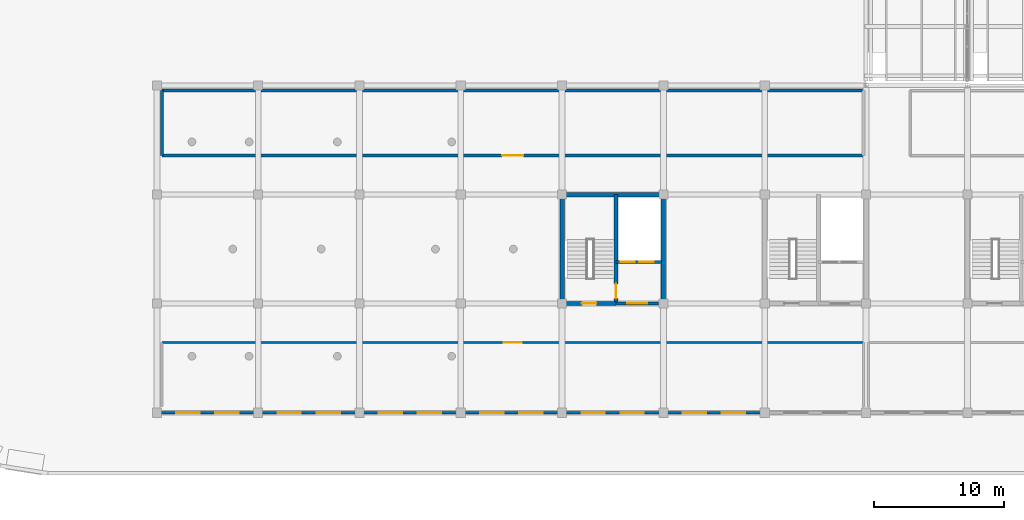
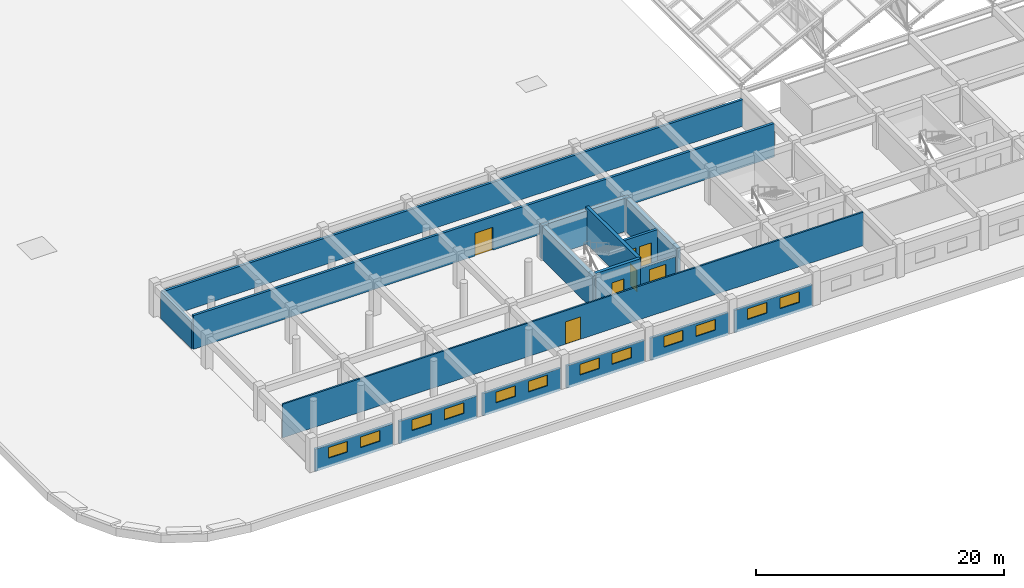
# One storey, part 89 of 101: 17 walls, 12 windows, 7 doors, 19 openings.
"""IFC4 building model written with IfcOpenShell, lengths in metres."""

from ifc_helpers import new_model, si_unit, direction, frame, frame_2d, origin, place, context, subcontext, project, spatial, rectangle, extrude, material, layer, layer_set, type_object, element, fill, save


model = new_model("IFC4")

# Units and contexts
model_context = context("Model", 3, precision=1e-05, world=origin(), true_north=direction((0.0, 1.0)))
body_context = subcontext(model_context, "Body", "Model", "MODEL_VIEW")
ifc_project = project(units=[si_unit("LENGTHUNIT", "METRE"), si_unit("AREAUNIT", "SQUARE_METRE"), si_unit("VOLUMEUNIT", "CUBIC_METRE"), si_unit("PLANEANGLEUNIT", "RADIAN"), si_unit("MASSUNIT", "GRAM", prefix="KILO")], contexts=[model_context])

# Site, building, storey
site_placement = place(None, origin())
site = spatial("IfcSite", under=ifc_project, at=site_placement, CompositionType="ELEMENT")
building_placement = place(site_placement, origin())
building = spatial("IfcBuilding", under=site, at=building_placement, Name="Zizhar Promenade General Hospital", CompositionType="ELEMENT")
storey_placement = place(building_placement, frame((0.0, 0.0, 14.39990234375)))
storey = spatial("IfcBuildingStorey", under=building, at=storey_placement, Name="L03", CompositionType="ELEMENT", Elevation=14.39990234375)

# Wall, openings, windows
ifc_material_1 = material(Name="Precast concrete C40/50", Category="concrete")
ifc_layer_1 = layer(ifc_material_1, 0.22509765625)
ifc_layer_set_1 = layer_set([ifc_layer_1], Name="Precast concrete C40/50")
wall_type_1 = type_object("IfcWallType", Name="EW-INT-225", PredefinedType="STANDARD", material=ifc_layer_set_1)
wall_1_placement = place(storey_placement, frame((23.110107421875, 0.0, 0.0), z_axis=(0.0, 0.0, 1.0), x_axis=(-1.0, 0.0, 0.0)))
wall_1 = element("IfcWall", 1, at=wall_1_placement, inside=storey, type_object=wall_type_1, Name="Riverfront Facade Wall L03-1", PredefinedType="STANDARD", context=body_context, shape_type="SweptSolid", body=[
    extrude(rectangle(XDim=7.22021484375, YDim=0.22509765625, at=frame_2d((3.610107421875, 0.0))), origin(), (0.0, 0.0, 1.0), 2.205078125),
])
opening_1_placement = place(wall_1_placement, frame((1.206787109375, 0.0, 0.89990234375)))
opening_1 = element("IfcOpeningElement", 2, at=opening_1_placement, cuts=wall_1, Name="Opening W-14", PredefinedType="OPENING", context=body_context, shape_type="SweptSolid", body=[
    extrude(rectangle(XDim=1.800048828125, YDim=1.050048828125, at=frame_2d((0.89990234375, 0.52490234375))), frame((0.0, 0.12255859375, 0.0), z_axis=(0.0, -1.0, 0.0), x_axis=(1.0, 0.0, 0.0)), (0.0, 0.0, 1.0), 0.2451171875),
])
opening_2_placement = place(wall_1_placement, frame((4.21337890625, 0.0, 0.89990234375)))
opening_2 = element("IfcOpeningElement", 3, at=opening_2_placement, cuts=wall_1, Name="Opening W-14", PredefinedType="OPENING", context=body_context, shape_type="SweptSolid", body=[
    extrude(rectangle(XDim=1.800048828125, YDim=1.050048828125, at=frame_2d((0.89990234375, 0.52490234375))), frame((0.0, 0.12255859375, 0.0), z_axis=(0.0, -1.0, 0.0), x_axis=(1.0, 0.0, 0.0)), (0.0, 0.0, 1.0), 0.2451171875),
])
ifc_material_2 = material(Name="Anodised aluminium 6063-T6 and low-E glass", Category="aluminium")
window_type = type_object("IfcWindowType", Name="WIN-INT-180x105", PartitioningType="DOUBLE_PANEL_HORIZONTAL", PredefinedType="WINDOW", material=ifc_material_2)
window_1_placement = place(opening_1_placement, origin())
window_1 = element("IfcWindow", 4, at=window_1_placement, inside=storey, type_object=window_type, Name="Riverfront Facade Wall L03-1 Window 1", OverallHeight=1.050048828125, OverallWidth=1.800048828125, PartitioningType="SINGLE_PANEL", PredefinedType="WINDOW", context=body_context, shape_type="SweptSolid", body=[
    extrude(rectangle(XDim=1.800048828125, YDim=1.050048828125, at=frame_2d((0.89990234375, 0.52490234375))), frame((0.0, 0.030029296875, 0.0), z_axis=(0.0, -1.0, 0.0), x_axis=(1.0, 0.0, 0.0)), (0.0, 0.0, 1.0), 0.06005859375),
])
fill(opening_1, window_1)
window_2_placement = place(opening_2_placement, origin())
window_2 = element("IfcWindow", 5, at=window_2_placement, inside=storey, type_object=window_type, Name="Riverfront Facade Wall L03-1 Window 2", OverallHeight=1.050048828125, OverallWidth=1.800048828125, PartitioningType="SINGLE_PANEL", PredefinedType="WINDOW", context=body_context, shape_type="SweptSolid", body=[
    extrude(rectangle(XDim=1.800048828125, YDim=1.050048828125, at=frame_2d((0.89990234375, 0.52490234375))), frame((0.0, 0.030029296875, 0.0), z_axis=(0.0, -1.0, 0.0), x_axis=(1.0, 0.0, 0.0)), (0.0, 0.0, 1.0), 0.06005859375),
])
fill(opening_2, window_2)

wall_2_placement = place(storey_placement, frame((30.909912109375, 0.0, 0.0), z_axis=(0.0, 0.0, 1.0), x_axis=(-1.0, 0.0, 0.0)))
wall_2 = element("IfcWall", 6, at=wall_2_placement, inside=storey, type_object=wall_type_1, Name="Riverfront Facade Wall L03-2", PredefinedType="STANDARD", context=body_context, shape_type="SweptSolid", body=[
    extrude(rectangle(XDim=7.219970703125, YDim=0.22509765625, at=frame_2d((3.60986328125, 0.0))), origin(), (0.0, 0.0, 1.0), 2.205078125),
])
opening_3_placement = place(wall_2_placement, frame((1.206787109375, 0.0, 0.89990234375)))
opening_3 = element("IfcOpeningElement", 7, at=opening_3_placement, cuts=wall_2, Name="Opening W-14", PredefinedType="OPENING", context=body_context, shape_type="SweptSolid", body=[
    extrude(rectangle(XDim=1.800048828125, YDim=1.050048828125, at=frame_2d((0.89990234375, 0.52490234375))), frame((0.0, 0.12255859375, 0.0), z_axis=(0.0, -1.0, 0.0), x_axis=(1.0, 0.0, 0.0)), (0.0, 0.0, 1.0), 0.2451171875),
])
opening_4_placement = place(wall_2_placement, frame((4.21337890625, 0.0, 0.89990234375)))
opening_4 = element("IfcOpeningElement", 8, at=opening_4_placement, cuts=wall_2, Name="Opening W-14", PredefinedType="OPENING", context=body_context, shape_type="SweptSolid", body=[
    extrude(rectangle(XDim=1.800048828125, YDim=1.050048828125, at=frame_2d((0.89990234375, 0.52490234375))), frame((0.0, 0.12255859375, 0.0), z_axis=(0.0, -1.0, 0.0), x_axis=(1.0, 0.0, 0.0)), (0.0, 0.0, 1.0), 0.2451171875),
])
window_3_placement = place(opening_3_placement, origin())
window_3 = element("IfcWindow", 9, at=window_3_placement, inside=storey, type_object=window_type, Name="Riverfront Facade Wall L03-2 Window 1", OverallHeight=1.050048828125, OverallWidth=1.800048828125, PartitioningType="SINGLE_PANEL", PredefinedType="WINDOW", context=body_context, shape_type="SweptSolid", body=[
    extrude(rectangle(XDim=1.800048828125, YDim=1.050048828125, at=frame_2d((0.89990234375, 0.52490234375))), frame((0.0, 0.030029296875, 0.0), z_axis=(0.0, -1.0, 0.0), x_axis=(1.0, 0.0, 0.0)), (0.0, 0.0, 1.0), 0.06005859375),
])
fill(opening_3, window_3)
window_4_placement = place(opening_4_placement, origin())
window_4 = element("IfcWindow", 10, at=window_4_placement, inside=storey, type_object=window_type, Name="Riverfront Facade Wall L03-2 Window 2", OverallHeight=1.050048828125, OverallWidth=1.800048828125, PartitioningType="SINGLE_PANEL", PredefinedType="WINDOW", context=body_context, shape_type="SweptSolid", body=[
    extrude(rectangle(XDim=1.800048828125, YDim=1.050048828125, at=frame_2d((0.89990234375, 0.52490234375))), frame((0.0, 0.030029296875, 0.0), z_axis=(0.0, -1.0, 0.0), x_axis=(1.0, 0.0, 0.0)), (0.0, 0.0, 1.0), 0.06005859375),
])
fill(opening_4, window_4)

wall_3_placement = place(storey_placement, frame((38.7099609375, 0.0, 0.0), z_axis=(0.0, 0.0, 1.0), x_axis=(-1.0, 0.0, 0.0)))
wall_3 = element("IfcWall", 11, at=wall_3_placement, inside=storey, type_object=wall_type_1, Name="Riverfront Facade Wall L03-3", PredefinedType="STANDARD", context=body_context, shape_type="SweptSolid", body=[
    extrude(rectangle(XDim=7.219970703125, YDim=0.22509765625, at=frame_2d((3.60986328125, 0.0))), origin(), (0.0, 0.0, 1.0), 2.205078125),
])
opening_5_placement = place(wall_3_placement, frame((1.206787109375, 0.0, 0.89990234375)))
opening_5 = element("IfcOpeningElement", 12, at=opening_5_placement, cuts=wall_3, Name="Opening W-14", PredefinedType="OPENING", context=body_context, shape_type="SweptSolid", body=[
    extrude(rectangle(XDim=1.800048828125, YDim=1.050048828125, at=frame_2d((0.89990234375, 0.52490234375))), frame((0.0, 0.12255859375, 0.0), z_axis=(0.0, -1.0, 0.0), x_axis=(1.0, 0.0, 0.0)), (0.0, 0.0, 1.0), 0.2451171875),
])
opening_6_placement = place(wall_3_placement, frame((4.21337890625, 0.0, 0.89990234375)))
opening_6 = element("IfcOpeningElement", 13, at=opening_6_placement, cuts=wall_3, Name="Opening W-14", PredefinedType="OPENING", context=body_context, shape_type="SweptSolid", body=[
    extrude(rectangle(XDim=1.800048828125, YDim=1.050048828125, at=frame_2d((0.89990234375, 0.52490234375))), frame((0.0, 0.12255859375, 0.0), z_axis=(0.0, -1.0, 0.0), x_axis=(1.0, 0.0, 0.0)), (0.0, 0.0, 1.0), 0.2451171875),
])
window_5_placement = place(opening_5_placement, origin())
window_5 = element("IfcWindow", 14, at=window_5_placement, inside=storey, type_object=window_type, Name="Riverfront Facade Wall L03-3 Window 1", OverallHeight=1.050048828125, OverallWidth=1.800048828125, PartitioningType="SINGLE_PANEL", PredefinedType="WINDOW", context=body_context, shape_type="SweptSolid", body=[
    extrude(rectangle(XDim=1.800048828125, YDim=1.050048828125, at=frame_2d((0.89990234375, 0.52490234375))), frame((0.0, 0.030029296875, 0.0), z_axis=(0.0, -1.0, 0.0), x_axis=(1.0, 0.0, 0.0)), (0.0, 0.0, 1.0), 0.06005859375),
])
fill(opening_5, window_5)
window_6_placement = place(opening_6_placement, origin())
window_6 = element("IfcWindow", 15, at=window_6_placement, inside=storey, type_object=window_type, Name="Riverfront Facade Wall L03-3 Window 2", OverallHeight=1.050048828125, OverallWidth=1.800048828125, PartitioningType="SINGLE_PANEL", PredefinedType="WINDOW", context=body_context, shape_type="SweptSolid", body=[
    extrude(rectangle(XDim=1.800048828125, YDim=1.050048828125, at=frame_2d((0.89990234375, 0.52490234375))), frame((0.0, 0.030029296875, 0.0), z_axis=(0.0, -1.0, 0.0), x_axis=(1.0, 0.0, 0.0)), (0.0, 0.0, 1.0), 0.06005859375),
])
fill(opening_6, window_6)

wall_4_placement = place(storey_placement, frame((46.510009765625, 0.0, 0.0), z_axis=(0.0, 0.0, 1.0), x_axis=(-1.0, 0.0, 0.0)))
wall_4 = element("IfcWall", 16, at=wall_4_placement, inside=storey, type_object=wall_type_1, Name="Riverfront Facade Wall L03-4", PredefinedType="STANDARD", context=body_context, shape_type="SweptSolid", body=[
    extrude(rectangle(XDim=7.219970703125, YDim=0.22509765625, at=frame_2d((3.60986328125, 0.0))), origin(), (0.0, 0.0, 1.0), 2.205078125),
])
opening_7_placement = place(wall_4_placement, frame((1.206787109375, 0.0, 0.89990234375)))
opening_7 = element("IfcOpeningElement", 17, at=opening_7_placement, cuts=wall_4, Name="Opening W-14", PredefinedType="OPENING", context=body_context, shape_type="SweptSolid", body=[
    extrude(rectangle(XDim=1.800048828125, YDim=1.050048828125, at=frame_2d((0.89990234375, 0.52490234375))), frame((0.0, 0.12255859375, 0.0), z_axis=(0.0, -1.0, 0.0), x_axis=(1.0, 0.0, 0.0)), (0.0, 0.0, 1.0), 0.2451171875),
])
opening_8_placement = place(wall_4_placement, frame((4.21337890625, 0.0, 0.89990234375)))
opening_8 = element("IfcOpeningElement", 18, at=opening_8_placement, cuts=wall_4, Name="Opening W-14", PredefinedType="OPENING", context=body_context, shape_type="SweptSolid", body=[
    extrude(rectangle(XDim=1.800048828125, YDim=1.050048828125, at=frame_2d((0.89990234375, 0.52490234375))), frame((0.0, 0.12255859375, 0.0), z_axis=(0.0, -1.0, 0.0), x_axis=(1.0, 0.0, 0.0)), (0.0, 0.0, 1.0), 0.2451171875),
])
window_7_placement = place(opening_7_placement, origin())
window_7 = element("IfcWindow", 19, at=window_7_placement, inside=storey, type_object=window_type, Name="Riverfront Facade Wall L03-4 Window 1", OverallHeight=1.050048828125, OverallWidth=1.800048828125, PartitioningType="SINGLE_PANEL", PredefinedType="WINDOW", context=body_context, shape_type="SweptSolid", body=[
    extrude(rectangle(XDim=1.800048828125, YDim=1.050048828125, at=frame_2d((0.89990234375, 0.52490234375))), frame((0.0, 0.030029296875, 0.0), z_axis=(0.0, -1.0, 0.0), x_axis=(1.0, 0.0, 0.0)), (0.0, 0.0, 1.0), 0.06005859375),
])
fill(opening_7, window_7)
window_8_placement = place(opening_8_placement, origin())
window_8 = element("IfcWindow", 20, at=window_8_placement, inside=storey, type_object=window_type, Name="Riverfront Facade Wall L03-4 Window 2", OverallHeight=1.050048828125, OverallWidth=1.800048828125, PartitioningType="SINGLE_PANEL", PredefinedType="WINDOW", context=body_context, shape_type="SweptSolid", body=[
    extrude(rectangle(XDim=1.800048828125, YDim=1.050048828125, at=frame_2d((0.89990234375, 0.52490234375))), frame((0.0, 0.030029296875, 0.0), z_axis=(0.0, -1.0, 0.0), x_axis=(1.0, 0.0, 0.0)), (0.0, 0.0, 1.0), 0.06005859375),
])
fill(opening_8, window_8)

wall_5_placement = place(storey_placement, frame((54.31005859375, 0.0, 0.0), z_axis=(0.0, 0.0, 1.0), x_axis=(-1.0, 0.0, 0.0)))
wall_5 = element("IfcWall", 21, at=wall_5_placement, inside=storey, type_object=wall_type_1, Name="Riverfront Facade Wall L03-5", PredefinedType="STANDARD", context=body_context, shape_type="SweptSolid", body=[
    extrude(rectangle(XDim=7.219970703125, YDim=0.22509765625, at=frame_2d((3.60986328125, 0.0))), origin(), (0.0, 0.0, 1.0), 2.205078125),
])
opening_9_placement = place(wall_5_placement, frame((1.206787109375, 0.0, 0.89990234375)))
opening_9 = element("IfcOpeningElement", 22, at=opening_9_placement, cuts=wall_5, Name="Opening W-14", PredefinedType="OPENING", context=body_context, shape_type="SweptSolid", body=[
    extrude(rectangle(XDim=1.800048828125, YDim=1.050048828125, at=frame_2d((0.89990234375, 0.52490234375))), frame((0.0, 0.12255859375, 0.0), z_axis=(0.0, -1.0, 0.0), x_axis=(1.0, 0.0, 0.0)), (0.0, 0.0, 1.0), 0.2451171875),
])
opening_10_placement = place(wall_5_placement, frame((4.21337890625, 0.0, 0.89990234375)))
opening_10 = element("IfcOpeningElement", 23, at=opening_10_placement, cuts=wall_5, Name="Opening W-14", PredefinedType="OPENING", context=body_context, shape_type="SweptSolid", body=[
    extrude(rectangle(XDim=1.800048828125, YDim=1.050048828125, at=frame_2d((0.89990234375, 0.52490234375))), frame((0.0, 0.12255859375, 0.0), z_axis=(0.0, -1.0, 0.0), x_axis=(1.0, 0.0, 0.0)), (0.0, 0.0, 1.0), 0.2451171875),
])
window_9_placement = place(opening_9_placement, origin())
window_9 = element("IfcWindow", 24, at=window_9_placement, inside=storey, type_object=window_type, Name="Riverfront Facade Wall L03-5 Window 1", OverallHeight=1.050048828125, OverallWidth=1.800048828125, PartitioningType="SINGLE_PANEL", PredefinedType="WINDOW", context=body_context, shape_type="SweptSolid", body=[
    extrude(rectangle(XDim=1.800048828125, YDim=1.050048828125, at=frame_2d((0.89990234375, 0.52490234375))), frame((0.0, 0.030029296875, 0.0), z_axis=(0.0, -1.0, 0.0), x_axis=(1.0, 0.0, 0.0)), (0.0, 0.0, 1.0), 0.06005859375),
])
fill(opening_9, window_9)
window_10_placement = place(opening_10_placement, origin())
window_10 = element("IfcWindow", 25, at=window_10_placement, inside=storey, type_object=window_type, Name="Riverfront Facade Wall L03-5 Window 2", OverallHeight=1.050048828125, OverallWidth=1.800048828125, PartitioningType="SINGLE_PANEL", PredefinedType="WINDOW", context=body_context, shape_type="SweptSolid", body=[
    extrude(rectangle(XDim=1.800048828125, YDim=1.050048828125, at=frame_2d((0.89990234375, 0.52490234375))), frame((0.0, 0.030029296875, 0.0), z_axis=(0.0, -1.0, 0.0), x_axis=(1.0, 0.0, 0.0)), (0.0, 0.0, 1.0), 0.06005859375),
])
fill(opening_10, window_10)

wall_6_placement = place(storey_placement, frame((62.110107421875, 0.0, 0.0), z_axis=(0.0, 0.0, 1.0), x_axis=(-1.0, 0.0, 0.0)))
wall_6 = element("IfcWall", 26, at=wall_6_placement, inside=storey, type_object=wall_type_1, Name="Riverfront Facade Wall L03-6", PredefinedType="STANDARD", context=body_context, shape_type="SweptSolid", body=[
    extrude(rectangle(XDim=7.22021484375, YDim=0.22509765625, at=frame_2d((3.610107421875, 0.0))), origin(), (0.0, 0.0, 1.0), 2.205078125),
])
opening_11_placement = place(wall_6_placement, frame((1.206787109375, 0.0, 0.89990234375)))
opening_11 = element("IfcOpeningElement", 27, at=opening_11_placement, cuts=wall_6, Name="Opening W-14", PredefinedType="OPENING", context=body_context, shape_type="SweptSolid", body=[
    extrude(rectangle(XDim=1.800048828125, YDim=1.050048828125, at=frame_2d((0.89990234375, 0.52490234375))), frame((0.0, 0.12255859375, 0.0), z_axis=(0.0, -1.0, 0.0), x_axis=(1.0, 0.0, 0.0)), (0.0, 0.0, 1.0), 0.2451171875),
])
opening_12_placement = place(wall_6_placement, frame((4.21337890625, 0.0, 0.89990234375)))
opening_12 = element("IfcOpeningElement", 28, at=opening_12_placement, cuts=wall_6, Name="Opening W-14", PredefinedType="OPENING", context=body_context, shape_type="SweptSolid", body=[
    extrude(rectangle(XDim=1.800048828125, YDim=1.050048828125, at=frame_2d((0.89990234375, 0.52490234375))), frame((0.0, 0.12255859375, 0.0), z_axis=(0.0, -1.0, 0.0), x_axis=(1.0, 0.0, 0.0)), (0.0, 0.0, 1.0), 0.2451171875),
])
window_11_placement = place(opening_11_placement, origin())
window_11 = element("IfcWindow", 29, at=window_11_placement, inside=storey, type_object=window_type, Name="Riverfront Facade Wall L03-6 Window 1", OverallHeight=1.050048828125, OverallWidth=1.800048828125, PartitioningType="SINGLE_PANEL", PredefinedType="WINDOW", context=body_context, shape_type="SweptSolid", body=[
    extrude(rectangle(XDim=1.800048828125, YDim=1.050048828125, at=frame_2d((0.89990234375, 0.52490234375))), frame((0.0, 0.030029296875, 0.0), z_axis=(0.0, -1.0, 0.0), x_axis=(1.0, 0.0, 0.0)), (0.0, 0.0, 1.0), 0.06005859375),
])
fill(opening_11, window_11)
window_12_placement = place(opening_12_placement, origin())
window_12 = element("IfcWindow", 30, at=window_12_placement, inside=storey, type_object=window_type, Name="Riverfront Facade Wall L03-6 Window 2", OverallHeight=1.050048828125, OverallWidth=1.800048828125, PartitioningType="SINGLE_PANEL", PredefinedType="WINDOW", context=body_context, shape_type="SweptSolid", body=[
    extrude(rectangle(XDim=1.800048828125, YDim=1.050048828125, at=frame_2d((0.89990234375, 0.52490234375))), frame((0.0, 0.030029296875, 0.0), z_axis=(0.0, -1.0, 0.0), x_axis=(1.0, 0.0, 0.0)), (0.0, 0.0, 1.0), 0.06005859375),
])
fill(opening_12, window_12)

# Wall, opening, door
ifc_material_3 = material(Name="Concrete C35/45", Category="concrete")
ifc_layer_2 = layer(ifc_material_3, 0.215087890625)
ifc_layer_set_2 = layer_set([ifc_layer_2], Name="Concrete C35/45")
wall_type_2 = type_object("IfcWallType", Name="IW-LOBBY-215", PredefinedType="STANDARD", material=ifc_layer_set_2)
wall_7_placement = place(storey_placement, frame((50.949951171875, 8.39990234375, 0.0), z_axis=(0.0, 0.0, 1.0), x_axis=(1.0, 0.0, 0.0)))
wall_7 = element("IfcWall", 31, at=wall_7_placement, inside=storey, type_object=wall_type_2, Name="Core C2 Lift Lobby South Fire Wall (L03)", PredefinedType="STANDARD", context=body_context, shape_type="SweptSolid", body=[
    extrude(rectangle(XDim=3.2900390625, YDim=0.215087890625, at=frame_2d((1.64501953125, 0.0))), origin(), (0.0, 0.0, 1.0), 2.6201171875),
])
opening_13_placement = place(wall_7_placement, frame((0.864990234375, 0.0, 0.0)))
opening_13 = element("IfcOpeningElement", 32, at=opening_13_placement, cuts=wall_7, Name="Opening D-22", PredefinedType="OPENING", context=body_context, shape_type="SweptSolid", body=[
    extrude(rectangle(XDim=1.56005859375, YDim=2.199951171875, at=frame_2d((0.780029296875, 1.10009765625))), frame((0.0, 0.11767578125, 0.0), z_axis=(0.0, -1.0, 0.0), x_axis=(1.0, 0.0, 0.0)), (0.0, 0.0, 1.0), 0.235107421875),
])
ifc_material_4 = material(Name="Steel S355 firefighting lobby pair", Category="steel")
door_type_1 = type_object("IfcDoorType", Name="DR-LOBBY-FF-156x220", OperationType="DOUBLE_DOOR_SINGLE_SWING", PredefinedType="DOOR", material=ifc_material_4)
door_1_placement = place(opening_13_placement, origin())
door_1 = element("IfcDoor", 33, at=door_1_placement, inside=storey, type_object=door_type_1, Name="Core C2 Firefighting Lift Lobby Door (L03)", OperationType="DOUBLE_DOOR_SINGLE_SWING", OverallHeight=2.199951171875, OverallWidth=1.56005859375, PredefinedType="DOOR", context=body_context, shape_type="SweptSolid", body=[
    extrude(rectangle(XDim=1.56005859375, YDim=2.199951171875, at=frame_2d((0.780029296875, 1.10009765625))), frame((0.0, 0.02490234375, 0.0), z_axis=(0.0, -1.0, 0.0), x_axis=(1.0, 0.0, 0.0)), (0.0, 0.0, 1.0), 0.050048828125),
])
fill(opening_13, door_1)

ifc_material_5 = material(Name="Concrete block masonry C30/37", Category="masonry")
ifc_layer_3 = layer(ifc_material_5, 0.22998046875)
ifc_layer_set_3 = layer_set([ifc_layer_3], Name="Concrete block masonry C30/37")
wall_type_3 = type_object("IfcWallType", Name="IW-PLNT-230", PredefinedType="STANDARD", material=ifc_layer_set_3)
wall_8_placement = place(storey_placement, frame((16.0, 19.800048828125, 0.0), z_axis=(0.0, 0.0, 1.0), x_axis=(1.0, 0.0, 0.0)))
wall_8 = element("IfcWall", 34, at=wall_8_placement, inside=storey, type_object=wall_type_3, Name="Medical Gas Zoned Valve and Vacuum Plant S Partition", PredefinedType="STANDARD", context=body_context, shape_type="SweptSolid", body=[
    extrude(rectangle(XDim=54.0, YDim=0.22998046875, at=frame_2d((27.0, 0.0))), origin(), (0.0, 0.0, 1.0), 3.300048828125),
])
opening_14_placement = place(wall_8_placement, frame((26.175048828125, 0.0, 0.0)))
opening_14 = element("IfcOpeningElement", 35, at=opening_14_placement, cuts=wall_8, Name="Opening D-24", PredefinedType="OPENING", context=body_context, shape_type="SweptSolid", body=[
    extrude(rectangle(XDim=1.64990234375, YDim=2.25, at=frame_2d((0.824951171875, 1.125))), frame((0.0, 0.125, 0.0), z_axis=(0.0, -1.0, 0.0), x_axis=(1.0, 0.0, 0.0)), (0.0, 0.0, 1.0), 0.25),
])
ifc_material_6 = material(Name="Steel S355 acoustic plant pair", Category="steel")
door_type_2 = type_object("IfcDoorType", Name="DR-PLNT-165x225", OperationType="DOUBLE_DOOR_SINGLE_SWING", PredefinedType="DOOR", material=ifc_material_6)
door_2_placement = place(opening_14_placement, origin())
door_2 = element("IfcDoor", 36, at=door_2_placement, inside=storey, type_object=door_type_2, Name="Medical Gas Zoned Valve and Vacuum Plant Door", OperationType="DOUBLE_DOOR_SINGLE_SWING", OverallHeight=2.25, OverallWidth=1.64990234375, PredefinedType="DOOR", context=body_context, shape_type="SweptSolid", body=[
    extrude(rectangle(XDim=1.64990234375, YDim=2.25, at=frame_2d((0.824951171875, 1.125))), frame((0.0, 0.02490234375, 0.0), z_axis=(0.0, -1.0, 0.0), x_axis=(1.0, 0.0, 0.0)), (0.0, 0.0, 1.0), 0.050048828125),
])
fill(opening_14, door_2)

# Walls
wall_9_placement = place(storey_placement, frame((16.0, 24.800048828125, 0.0), z_axis=(0.0, 0.0, 1.0), x_axis=(1.0, 0.0, 0.0)))
element("IfcWall", 37, at=wall_9_placement, inside=storey, type_object=wall_type_3, Name="Medical Gas Zoned Valve and Vacuum Plant N Partition", PredefinedType="STANDARD", context=body_context, shape_type="SweptSolid", body=[
    extrude(rectangle(XDim=54.0, YDim=0.22998046875, at=frame_2d((27.0, 0.0))), origin(), (0.0, 0.0, 1.0), 2.6201171875),
])
wall_10_placement = place(storey_placement, frame((16.0, 19.800048828125, 0.0), z_axis=(0.0, 0.0, 1.0), x_axis=(0.0, 1.0, 0.0)))
element("IfcWall", 38, at=wall_10_placement, inside=storey, type_object=wall_type_3, Name="Medical Gas Zoned Valve and Vacuum Plant W Partition", PredefinedType="STANDARD", context=body_context, shape_type="SweptSolid", body=[
    extrude(rectangle(XDim=5.0, YDim=0.22998046875, at=frame_2d((2.5, 0.0))), origin(), (0.0, 0.0, 1.0), 2.6201171875),
])

# Wall, openings, doors
ifc_material_7 = material(Name="Concrete C35/45", Category="concrete")
ifc_layer_4 = layer(ifc_material_7, 0.25)
ifc_layer_set_4 = layer_set([ifc_layer_4], Name="Concrete C35/45")
wall_type_4 = type_object("IfcWallType", Name="IW-SHAFT-250", PredefinedType="STANDARD", material=ifc_layer_set_4)
wall_11_placement = place(storey_placement, frame((50.949951171875, 11.60009765625, 0.0), z_axis=(0.0, 0.0, 1.0), x_axis=(1.0, 0.0, 0.0)))
wall_11 = element("IfcWall", 39, at=wall_11_placement, inside=storey, type_object=wall_type_4, Name="Core C2 Lift Shaft Landing Wall (L03)", PredefinedType="STANDARD", context=body_context, shape_type="SweptSolid", body=[
    extrude(rectangle(XDim=3.5, YDim=0.25, at=frame_2d((1.75, 0.0))), origin(), (0.0, 0.0, 1.0), 3.300048828125),
])
opening_15_placement = place(wall_11_placement, frame((0.35009765625, 0.0, 0.0)))
opening_15 = element("IfcOpeningElement", 40, at=opening_15_placement, cuts=wall_11, Name="Opening LD-11", PredefinedType="OPENING", context=body_context, shape_type="SweptSolid", body=[
    extrude(rectangle(XDim=1.10009765625, YDim=2.199951171875, at=frame_2d((0.550048828125, 1.10009765625))), frame((0.0, 0.135009765625, 0.0), z_axis=(0.0, -1.0, 0.0), x_axis=(1.0, 0.0, 0.0)), (0.0, 0.0, 1.0), 0.27001953125),
])
opening_16_placement = place(wall_11_placement, frame((1.800048828125, 0.0, 0.0)))
opening_16 = element("IfcOpeningElement", 41, at=opening_16_placement, cuts=wall_11, Name="Opening LD-11", PredefinedType="OPENING", context=body_context, shape_type="SweptSolid", body=[
    extrude(rectangle(XDim=1.10009765625, YDim=2.199951171875, at=frame_2d((0.550048828125, 1.10009765625))), frame((0.0, 0.135009765625, 0.0), z_axis=(0.0, -1.0, 0.0), x_axis=(1.0, 0.0, 0.0)), (0.0, 0.0, 1.0), 0.27001953125),
])
ifc_material_8 = material(Name="Stainless Steel S355 passenger lift landing door", Category="steel")
door_type_3 = type_object("IfcDoorType", Name="DR-LIFT-LD11", OperationType="SLIDING_TO_LEFT", PredefinedType="DOOR", material=ifc_material_8)
door_3_placement = place(opening_15_placement, origin())
door_3 = element("IfcDoor", 42, at=door_3_placement, inside=storey, type_object=door_type_3, Name="Lift LF-01 Sliding Landing Door (L03)", OperationType="SLIDING_TO_LEFT", OverallHeight=2.199951171875, OverallWidth=1.10009765625, PredefinedType="DOOR", context=body_context, shape_type="SweptSolid", body=[
    extrude(rectangle(XDim=1.10009765625, YDim=2.199951171875, at=frame_2d((0.550048828125, 1.10009765625))), frame((0.0, 0.02490234375, 0.0), z_axis=(0.0, -1.0, 0.0), x_axis=(1.0, 0.0, 0.0)), (0.0, 0.0, 1.0), 0.050048828125),
])
fill(opening_15, door_3)
door_4_placement = place(opening_16_placement, origin())
door_4 = element("IfcDoor", 43, at=door_4_placement, inside=storey, type_object=door_type_3, Name="Lift LB-01 Sliding Landing Door (L03)", OperationType="SLIDING_TO_LEFT", OverallHeight=2.199951171875, OverallWidth=1.10009765625, PredefinedType="DOOR", context=body_context, shape_type="SweptSolid", body=[
    extrude(rectangle(XDim=1.10009765625, YDim=2.199951171875, at=frame_2d((0.550048828125, 1.10009765625))), frame((0.0, 0.02490234375, 0.0), z_axis=(0.0, -1.0, 0.0), x_axis=(1.0, 0.0, 0.0)), (0.0, 0.0, 1.0), 0.050048828125),
])
fill(opening_16, door_4)

# Wall, opening, door
ifc_material_9 = material(Name="Acoustic patient bedroom partition")
ifc_layer_5 = layer(ifc_material_9, 0.155029296875)
ifc_layer_set_5 = layer_set([ifc_layer_5], Name="Acoustic patient bedroom partition")
wall_type_5 = type_object("IfcWallType", Name="IW-WARD-155", PredefinedType="PARTITIONING", material=ifc_layer_set_5)
wall_12_placement = place(storey_placement, frame((16.0, 5.39990234375, 0.0), z_axis=(0.0, 0.0, 1.0), x_axis=(1.0, 0.0, 0.0)))
wall_12 = element("IfcWall", 44, at=wall_12_placement, inside=storey, type_object=wall_type_5, Name="Ward Hygienic Air Handling Plant West N Partition", PredefinedType="PARTITIONING", context=body_context, shape_type="SweptSolid", body=[
    extrude(rectangle(XDim=54.0, YDim=0.155029296875, at=frame_2d((27.0, 0.0))), origin(), (0.0, 0.0, 1.0), 3.300048828125),
])
opening_17_placement = place(wall_12_placement, frame((26.300048828125, 0.0, 0.0)))
opening_17 = element("IfcOpeningElement", 45, at=opening_17_placement, cuts=wall_12, Name="Opening D-06", PredefinedType="OPENING", context=body_context, shape_type="SweptSolid", body=[
    extrude(rectangle(XDim=1.39990234375, YDim=2.199951171875, at=frame_2d((0.699951171875, 1.10009765625))), frame((0.0, 0.08740234375, 0.0), z_axis=(0.0, -1.0, 0.0), x_axis=(1.0, 0.0, 0.0)), (0.0, 0.0, 1.0), 0.175048828125),
])
ifc_material_10 = material(Name="Fire-rated timber hospital bed leaf", Category="wood")
door_type_4 = type_object("IfcDoorType", Name="DR-BED-WARD-140x220", OperationType="NOTDEFINED", PredefinedType="DOOR", material=ifc_material_10)
door_5_placement = place(opening_17_placement, origin())
door_5 = element("IfcDoor", 46, at=door_5_placement, inside=storey, type_object=door_type_4, Name="Ward Hygienic Air Handling Plant West Door", OperationType="SINGLE_SWING_LEFT", OverallHeight=2.199951171875, OverallWidth=1.39990234375, PredefinedType="DOOR", context=body_context, shape_type="SweptSolid", body=[
    extrude(rectangle(XDim=1.39990234375, YDim=2.199951171875, at=frame_2d((0.699951171875, 1.10009765625))), frame((0.0, 0.02490234375, 0.0), z_axis=(0.0, -1.0, 0.0), x_axis=(1.0, 0.0, 0.0)), (0.0, 0.0, 1.0), 0.050048828125),
])
fill(opening_17, door_5)

ifc_material_11 = material(Name="Concrete C40/50", Category="concrete")
ifc_layer_6 = layer(ifc_material_11, 0.300048828125)
ifc_layer_set_6 = layer_set([ifc_layer_6], Name="Concrete C40/50")
wall_type_6 = type_object("IfcWallType", Name="WL-CORE-300", PredefinedType="SHEAR", material=ifc_layer_set_6)
wall_13_placement = place(storey_placement, frame((46.800048828125, 8.39990234375, 0.0), z_axis=(0.0, 0.0, 1.0), x_axis=(1.0, 0.0, 0.0)))
wall_13 = element("IfcWall", 47, at=wall_13_placement, inside=storey, type_object=wall_type_6, Name="Core C2 Stair South Fire Wall (L03)", PredefinedType="SHEAR", context=body_context, shape_type="SweptSolid", body=[
    extrude(rectangle(XDim=4.14990234375, YDim=0.300048828125, at=frame_2d((2.074951171875, 0.0))), origin(), (0.0, 0.0, 1.0), 3.60009765625),
])
opening_18_placement = place(wall_13_placement, frame((1.514892578125, 0.0, 0.0)))
opening_18 = element("IfcOpeningElement", 48, at=opening_18_placement, cuts=wall_13, Name="Opening D-21", PredefinedType="OPENING", context=body_context, shape_type="SweptSolid", body=[
    extrude(rectangle(XDim=1.1201171875, YDim=2.14990234375, at=frame_2d((0.56005859375, 1.074951171875))), frame((0.0, 0.16015625, 0.0), z_axis=(0.0, -1.0, 0.0), x_axis=(1.0, 0.0, 0.0)), (0.0, 0.0, 1.0), 0.320068359375),
])
ifc_material_12 = material(Name="Steel S355 protected stair door", Category="steel")
door_type_5 = type_object("IfcDoorType", Name="DR-STAIR-112x215", OperationType="NOTDEFINED", PredefinedType="DOOR", material=ifc_material_12)
door_6_placement = place(opening_18_placement, origin())
door_6 = element("IfcDoor", 49, at=door_6_placement, inside=storey, type_object=door_type_5, Name="Exit Stair ST-02 Door (L03)", OperationType="SINGLE_SWING_LEFT", OverallHeight=2.14990234375, OverallWidth=1.1201171875, PredefinedType="DOOR", context=body_context, shape_type="SweptSolid", body=[
    extrude(rectangle(XDim=1.1201171875, YDim=2.14990234375, at=frame_2d((0.56005859375, 1.074951171875))), frame((0.0, 0.02490234375, 0.0), z_axis=(0.0, -1.0, 0.0), x_axis=(1.0, 0.0, 0.0)), (0.0, 0.0, 1.0), 0.050048828125),
])
fill(opening_18, door_6)

wall_14_placement = place(storey_placement, frame((50.949951171875, 8.39990234375, 0.0), z_axis=(0.0, 0.0, 1.0), x_axis=(0.0, 1.0, 0.0)))
wall_14 = element("IfcWall", 50, at=wall_14_placement, inside=storey, type_object=wall_type_6, Name="Core C2 Stair-Shaft Separation Wall (L03)", PredefinedType="SHEAR", context=body_context, shape_type="SweptSolid", body=[
    extrude(rectangle(XDim=8.400146484375, YDim=0.300048828125, at=frame_2d((4.2001953125, 0.0))), origin(), (0.0, 0.0, 1.0), 3.60009765625),
])
opening_19_placement = place(wall_14_placement, frame((0.39990234375, 0.0, 0.0)))
opening_19 = element("IfcOpeningElement", 51, at=opening_19_placement, cuts=wall_14, Name="Opening D-21", PredefinedType="OPENING", context=body_context, shape_type="SweptSolid", body=[
    extrude(rectangle(XDim=1.1201171875, YDim=2.14990234375, at=frame_2d((0.56005859375, 1.074951171875))), frame((0.0, 0.16015625, 0.0), z_axis=(0.0, -1.0, 0.0), x_axis=(1.0, 0.0, 0.0)), (0.0, 0.0, 1.0), 0.320068359375),
])
door_7_placement = place(opening_19_placement, origin())
door_7 = element("IfcDoor", 52, at=door_7_placement, inside=storey, type_object=door_type_5, Name="Firefighting Lobby to Stair ST-02 Door (L03)", OperationType="SINGLE_SWING_RIGHT", OverallHeight=2.14990234375, OverallWidth=1.1201171875, PredefinedType="DOOR", context=body_context, shape_type="SweptSolid", body=[
    extrude(rectangle(XDim=1.1201171875, YDim=2.14990234375, at=frame_2d((0.56005859375, 1.074951171875))), frame((0.0, 0.02490234375, 0.0), z_axis=(0.0, -1.0, 0.0), x_axis=(1.0, 0.0, 0.0)), (0.0, 0.0, 1.0), 0.050048828125),
])
fill(opening_19, door_7)

# Walls
ifc_material_13 = material(Name="Concrete C40/50", Category="concrete")
ifc_layer_7 = layer(ifc_material_13, 0.35009765625)
ifc_layer_set_7 = layer_set([ifc_layer_7], Name="Concrete C40/50")
wall_type_7 = type_object("IfcWallType", Name="WL-CORE-350", PredefinedType="SHEAR", material=ifc_layer_set_7)
wall_15_placement = place(storey_placement, frame((46.625, 16.800048828125, 0.0), z_axis=(0.0, 0.0, 1.0), x_axis=(1.0, 0.0, 0.0)))
element("IfcWall", 53, at=wall_15_placement, inside=storey, type_object=wall_type_7, Name="Core C2 North Shear Wall L03", PredefinedType="SHEAR", context=body_context, shape_type="SweptSolid", body=[
    extrude(rectangle(XDim=8.14990234375, YDim=0.35009765625, at=frame_2d((4.074951171875, 0.0))), origin(), (0.0, 0.0, 1.0), 3.280029296875),
])
for number, where, z_axis, x_axis, name in (
    (54, (46.800048828125, 8.39990234375, 0.0), (0.0, 0.0, 1.0), (0.0, 1.0, 0.0), "Core C2 West Shear Wall L03"),
    (55, (54.60009765625, 8.39990234375, 0.0), (0.0, 0.0, 1.0), (0.0, 1.0, 0.0), "Core C2 East Shear Wall L03"),
):
    element("IfcWall", number, at=place(storey_placement, frame(where, z_axis=z_axis, x_axis=x_axis)), inside=storey, type_object=wall_type_7, Name=name, PredefinedType="SHEAR", context=body_context, shape_type="SweptSolid", body=[
        extrude(rectangle(XDim=8.400146484375, YDim=0.35009765625, at=frame_2d((4.2001953125, 0.0))), origin(), (0.0, 0.0, 1.0), 3.280029296875),
    ])

save(model, "model.ifc")
